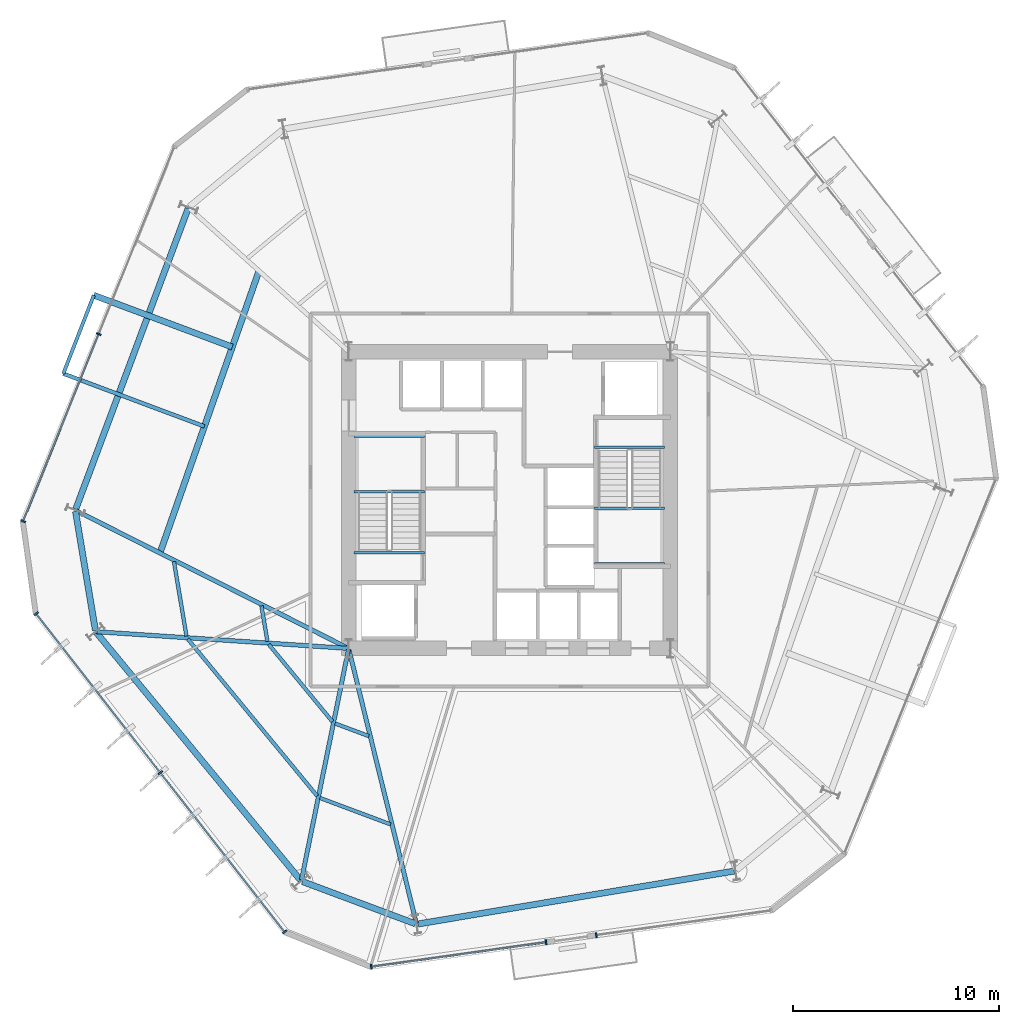
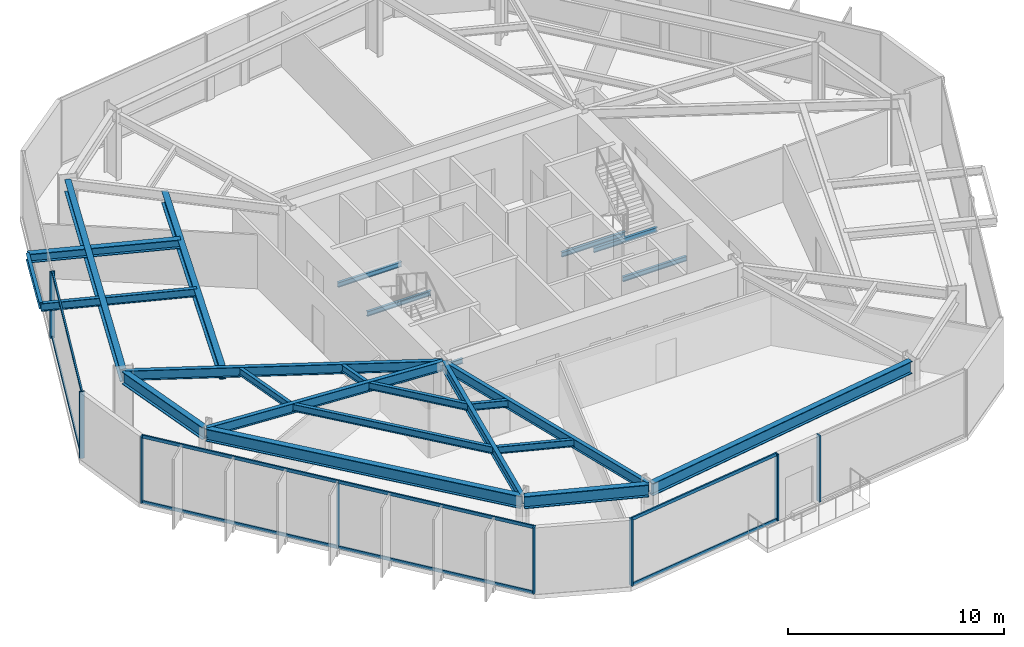
# One storey, part 2 of 10: 25 beams, 16 members, 4 elements without a shape of their own.
"""IFC4 building model written with IfcOpenShell, lengths in metres."""

from ifc_helpers import new_model, si_unit, direction, frame, origin, origin_2d, place, context, subcontext, project, spatial, rectangle, i_section, extrude, material, layer, layer_set, material_profile, profile_set, type_object, element, aggregate, save


model = new_model("IFC4")

# Units and contexts
model_context = context("Model", 3, precision=1e-05, world=origin(), true_north=direction((0.0, 1.0)))
body_context = subcontext(model_context, "Body", "Model", "MODEL_VIEW")
ifc_project = project(units=[si_unit("LENGTHUNIT", "METRE"), si_unit("AREAUNIT", "SQUARE_METRE"), si_unit("VOLUMEUNIT", "CUBIC_METRE"), si_unit("PLANEANGLEUNIT", "RADIAN"), si_unit("MASSUNIT", "GRAM", prefix="KILO")], contexts=[model_context])

# Site, building, storey
site_placement = place(None, origin())
site = spatial("IfcSite", under=ifc_project, at=site_placement, CompositionType="ELEMENT")
building_placement = place(site_placement, origin())
building = spatial("IfcBuilding", under=site, at=building_placement, Name="Kranzbogen Civic Tower", CompositionType="ELEMENT")
storey_placement = place(building_placement, frame((0.0, 0.0, 52.0)))
storey = spatial("IfcBuildingStorey", under=building, at=storey_placement, Name="L12", CompositionType="ELEMENT", Elevation=52.0)

# Beam
ifc_material_1 = material(Name="Steel S355", Category="steel")
ifc_material_profile_1 = material_profile(ifc_material_1, i_section(OverallWidth=0.18994140625, OverallDepth=0.449951171875, WebThickness=0.009521484375, FlangeThickness=0.0146484375, at=origin_2d()), Name="IPE 450")
ifc_profile_set_1 = profile_set([ifc_material_profile_1], Name="Steel S355")
beam_type_1 = type_object("IfcBeamType", Name="Braced Terrace Edge Beam IPE 450", PredefinedType="BEAM", material=ifc_profile_set_1)
beam_1_placement = place(storey_placement, frame((10.2041015625, 28.568115234375, 3.52490234375), z_axis=(-0.936673386352, 0.350204179444, 0.0), x_axis=(-0.350204179444, -0.936673386352, 0.0)))
element("IfcBeam", 1, at=beam_1_placement, inside=storey, type_object=beam_type_1, Name="L13 back-spanned terrace beam L13-TB1-2", PredefinedType="BEAM", context=body_context, shape_type="SweptSolid", body=[
    extrude(i_section(OverallWidth=0.18994140625, OverallDepth=0.449951171875, WebThickness=0.009521484375, FlangeThickness=0.0146484375, at=origin_2d()), origin(), (0.0, 0.0, 1.0), 7.306640625),
])

# Curtain wall, members
ifc_material_2 = material(Name="Pale Anodised Aluminium", Category="aluminium")
ifc_layer = layer(ifc_material_2, 0.219970703125, Name="Pale Anodised Aluminium")
ifc_layer_set = layer_set([ifc_layer], Name="Pale Anodised Aluminium")
curtain_wall_type = type_object("IfcCurtainWallType", Name="Zone 1 Stick Curtain Wall System CW-02", PredefinedType="USERDEFINED", material=ifc_layer_set)
curtain_wall_1_placement = place(storey_placement, origin())
curtain_wall_1 = element("IfcCurtainWall", 2, at=curtain_wall_1_placement, inside=storey, type_object=curtain_wall_type, Name="L12 curtain wall CW-L12-F3", ObjectType="STICK CURTAIN WALL", PredefinedType="USERDEFINED")
ifc_material_profile_2 = material_profile(ifc_material_2, rectangle(XDim=0.080078125, YDim=0.239990234375, at=origin_2d()), Name="ALU-M 80x240")
ifc_profile_set_2 = profile_set([ifc_material_profile_2], Name="Pale Anodised Aluminium")
member_type_1 = type_object("IfcMemberType", Name="Curtain Wall Mullion ALU-M 80x240", PredefinedType="MULLION", material=ifc_profile_set_2)
member_1_placement = place(storey_placement, frame((5.0791015625, 33.048583984375, 0.0), z_axis=(0.0, 0.0, 1.0), x_axis=(-0.374583413468, -0.927193219537, 0.0)))
member_1 = element("IfcMember", 3, at=member_1_placement, type_object=member_type_1, Name="CW-02 mullion 2", PredefinedType="MULLION", context=body_context, shape_type="SweptSolid", body=[
    extrude(rectangle(XDim=0.080078125, YDim=0.239990234375, at=origin_2d()), origin(), (0.0, 0.0, 1.0), 3.760009765625),
])
member_2_placement = place(storey_placement, frame((1.4111328125, 23.9697265625, 0.0), z_axis=(0.0, 0.0, 1.0), x_axis=(-0.374583413468, -0.927193219537, 0.0)))
member_2 = element("IfcMember", 4, at=member_2_placement, type_object=member_type_1, Name="CW-02 mullion 3", PredefinedType="MULLION", context=body_context, shape_type="SweptSolid", body=[
    extrude(rectangle(XDim=0.080078125, YDim=0.239990234375, at=origin_2d()), origin(), (0.0, 0.0, 1.0), 3.760009765625),
])

curtain_wall_2_placement = place(storey_placement, origin())
curtain_wall_2 = element("IfcCurtainWall", 5, at=curtain_wall_2_placement, inside=storey, type_object=curtain_wall_type, Name="L12 curtain wall CW-L12-F4", ObjectType="STICK CURTAIN WALL", PredefinedType="USERDEFINED")
member_3_placement = place(storey_placement, frame((2.04052734375, 19.48828125, 0.0), z_axis=(0.0, 0.0, 1.0), x_axis=(0.61567664207, -0.787998903812, 0.0)))
member_3 = element("IfcMember", 6, at=member_3_placement, type_object=member_type_1, Name="CW-02 mullion 1", PredefinedType="MULLION", context=body_context, shape_type="SweptSolid", body=[
    extrude(rectangle(XDim=0.080078125, YDim=0.239990234375, at=origin_2d()), origin(), (0.0, 0.0, 1.0), 3.760009765625),
])
member_4_placement = place(storey_placement, frame((8.069091796875, 11.7724609375, 0.0), z_axis=(0.0, 0.0, 1.0), x_axis=(0.61567664207, -0.787998903812, 0.0)))
member_4 = element("IfcMember", 7, at=member_4_placement, type_object=member_type_1, Name="CW-02 mullion 2", PredefinedType="MULLION", context=body_context, shape_type="SweptSolid", body=[
    extrude(rectangle(XDim=0.080078125, YDim=0.239990234375, at=origin_2d()), origin(), (0.0, 0.0, 1.0), 3.760009765625),
])
member_5_placement = place(storey_placement, frame((14.097412109375, 4.056640625, 0.0), z_axis=(0.0, 0.0, 1.0), x_axis=(0.61567664207, -0.787998903812, 0.0)))
member_5 = element("IfcMember", 8, at=member_5_placement, type_object=member_type_1, Name="CW-02 mullion 3", PredefinedType="MULLION", context=body_context, shape_type="SweptSolid", body=[
    extrude(rectangle(XDim=0.080078125, YDim=0.239990234375, at=origin_2d()), origin(), (0.0, 0.0, 1.0), 3.760009765625),
])

curtain_wall_3_placement = place(storey_placement, origin())
curtain_wall_3 = element("IfcCurtainWall", 9, at=curtain_wall_3_placement, inside=storey, type_object=curtain_wall_type, Name="L12 curtain wall CW-L12-F5-S1", ObjectType="STICK CURTAIN WALL", PredefinedType="USERDEFINED")
member_6_placement = place(storey_placement, frame((18.293701171875, 2.361083984375, 0.0), z_axis=(0.0, 0.0, 1.0), x_axis=(0.990267072018, 0.139180192835, 0.0)))
member_6 = element("IfcMember", 10, at=member_6_placement, type_object=member_type_1, Name="CW-02 mullion 1", PredefinedType="MULLION", context=body_context, shape_type="SweptSolid", body=[
    extrude(rectangle(XDim=0.080078125, YDim=0.239990234375, at=origin_2d()), origin(), (0.0, 0.0, 1.0), 3.760009765625),
])
member_7_placement = place(storey_placement, frame((26.772216796875, 3.552734375, 0.0), z_axis=(0.0, 0.0, 1.0), x_axis=(0.990267072018, 0.139180192835, 0.0)))
member_7 = element("IfcMember", 11, at=member_7_placement, type_object=member_type_1, Name="CW-02 mullion 2", PredefinedType="MULLION", context=body_context, shape_type="SweptSolid", body=[
    extrude(rectangle(XDim=0.080078125, YDim=0.239990234375, at=origin_2d()), origin(), (0.0, 0.0, 1.0), 3.760009765625),
])

# Curtain wall, member
curtain_wall_4_placement = place(storey_placement, origin())
curtain_wall_4 = element("IfcCurtainWall", 12, at=curtain_wall_4_placement, inside=storey, type_object=curtain_wall_type, Name="L12 curtain wall CW-L12-F5-S2", ObjectType="STICK CURTAIN WALL", PredefinedType="USERDEFINED")
member_8_placement = place(storey_placement, frame((29.208740234375, 3.895263671875, 0.0), z_axis=(0.0, 0.0, 1.0), x_axis=(0.990267072018, 0.139180192835, 0.0)))
member_8 = element("IfcMember", 13, at=member_8_placement, type_object=member_type_1, Name="CW-02 mullion 1", PredefinedType="MULLION", context=body_context, shape_type="SweptSolid", body=[
    extrude(rectangle(XDim=0.080078125, YDim=0.239990234375, at=origin_2d()), origin(), (0.0, 0.0, 1.0), 3.760009765625),
])
aggregate(curtain_wall_4, [member_8])

# Member
ifc_material_profile_3 = material_profile(ifc_material_2, rectangle(XDim=0.080078125, YDim=0.179931640625, at=origin_2d()), Name="ALU-T 80x180")
ifc_profile_set_3 = profile_set([ifc_material_profile_3], Name="Pale Anodised Aluminium")
member_type_2 = type_object("IfcMemberType", Name="Curtain Wall Transom ALU-T 80x180", PredefinedType="USERDEFINED", material=ifc_profile_set_3)
member_9_placement = place(storey_placement, frame((5.06787109375, 33.020751953125, 0.030029296875), z_axis=(-0.374597852927, -0.927187385905, 0.0), x_axis=(0.927187385905, -0.374597852927, 0.0)))
member_9 = element("IfcMember", 14, at=member_9_placement, type_object=member_type_2, Name="CW-02 transom 2.1", ObjectType="TRANSOM", PredefinedType="USERDEFINED", context=body_context, shape_type="SweptSolid", body=[
    extrude(rectangle(XDim=0.080078125, YDim=0.179931640625, at=origin_2d()), origin(), (0.0, 0.0, 1.0), 9.731689453125),
])

member_10_placement = place(storey_placement, frame((5.06787109375, 33.020751953125, 3.72998046875), z_axis=(-0.374597852927, -0.927187385905, 0.0), x_axis=(0.927187385905, -0.374597852927, 0.0)))
member_10 = element("IfcMember", 15, at=member_10_placement, type_object=member_type_2, Name="CW-02 transom 2.2", ObjectType="TRANSOM", PredefinedType="USERDEFINED", context=body_context, shape_type="SweptSolid", body=[
    extrude(rectangle(XDim=0.080078125, YDim=0.179931640625, at=origin_2d()), origin(), (0.0, 0.0, 1.0), 9.731689453125),
])

aggregate(curtain_wall_1, [member_1, member_2, member_9, member_10])

member_11_placement = place(storey_placement, frame((2.058837890625, 19.464599609375, 0.030029296875), z_axis=(0.615689803376, -0.787988620488, 0.0), x_axis=(0.787988620488, 0.615689803376, 0.0)))
member_11 = element("IfcMember", 16, at=member_11_placement, type_object=member_type_2, Name="CW-02 transom 1.1", ObjectType="TRANSOM", PredefinedType="USERDEFINED", context=body_context, shape_type="SweptSolid", body=[
    extrude(rectangle(XDim=0.080078125, YDim=0.179931640625, at=origin_2d()), origin(), (0.0, 0.0, 1.0), 9.731689453125),
])

member_12_placement = place(storey_placement, frame((2.058837890625, 19.464599609375, 3.72998046875), z_axis=(0.615689803376, -0.787988620488, 0.0), x_axis=(0.787988620488, 0.615689803376, 0.0)))
member_12 = element("IfcMember", 17, at=member_12_placement, type_object=member_type_2, Name="CW-02 transom 1.2", ObjectType="TRANSOM", PredefinedType="USERDEFINED", context=body_context, shape_type="SweptSolid", body=[
    extrude(rectangle(XDim=0.080078125, YDim=0.179931640625, at=origin_2d()), origin(), (0.0, 0.0, 1.0), 9.731689453125),
])

member_13_placement = place(storey_placement, frame((8.08740234375, 11.748779296875, 0.030029296875), z_axis=(0.615689803376, -0.787988620488, 0.0), x_axis=(0.787988620488, 0.615689803376, 0.0)))
member_13 = element("IfcMember", 18, at=member_13_placement, type_object=member_type_2, Name="CW-02 transom 2.1", ObjectType="TRANSOM", PredefinedType="USERDEFINED", context=body_context, shape_type="SweptSolid", body=[
    extrude(rectangle(XDim=0.080078125, YDim=0.179931640625, at=origin_2d()), origin(), (0.0, 0.0, 1.0), 9.731689453125),
])

member_14_placement = place(storey_placement, frame((8.08740234375, 11.748779296875, 3.72998046875), z_axis=(0.615689803376, -0.787988620488, 0.0), x_axis=(0.787988620488, 0.615689803376, 0.0)))
member_14 = element("IfcMember", 19, at=member_14_placement, type_object=member_type_2, Name="CW-02 transom 2.2", ObjectType="TRANSOM", PredefinedType="USERDEFINED", context=body_context, shape_type="SweptSolid", body=[
    extrude(rectangle(XDim=0.080078125, YDim=0.179931640625, at=origin_2d()), origin(), (0.0, 0.0, 1.0), 9.731689453125),
])

aggregate(curtain_wall_2, [member_3, member_4, member_5, member_11, member_12, member_13, member_14])

member_15_placement = place(storey_placement, frame((18.323486328125, 2.365234375, 0.030029296875), z_axis=(0.990266290459, 0.139185753512, 0.0), x_axis=(-0.139185753512, 0.990266290459, 0.0)))
member_15 = element("IfcMember", 20, at=member_15_placement, type_object=member_type_2, Name="CW-02 transom 1.1", ObjectType="TRANSOM", PredefinedType="USERDEFINED", context=body_context, shape_type="SweptSolid", body=[
    extrude(rectangle(XDim=0.080078125, YDim=0.179931640625, at=origin_2d()), origin(), (0.0, 0.0, 1.0), 8.501953125),
])

member_16_placement = place(storey_placement, frame((18.323486328125, 2.365234375, 3.72998046875), z_axis=(0.990266290459, 0.139185753512, 0.0), x_axis=(-0.139185753512, 0.990266290459, 0.0)))
member_16 = element("IfcMember", 21, at=member_16_placement, type_object=member_type_2, Name="CW-02 transom 1.2", ObjectType="TRANSOM", PredefinedType="USERDEFINED", context=body_context, shape_type="SweptSolid", body=[
    extrude(rectangle(XDim=0.080078125, YDim=0.179931640625, at=origin_2d()), origin(), (0.0, 0.0, 1.0), 8.501953125),
])

aggregate(curtain_wall_3, [member_6, member_7, member_15, member_16])

# Beams
ifc_material_profile_4 = material_profile(ifc_material_1, i_section(OverallWidth=0.300048828125, OverallDepth=0.5, WebThickness=0.014404296875, FlangeThickness=0.028076171875, at=origin_2d()), Name="HEB 500")
ifc_profile_set_4 = profile_set([ifc_material_profile_4], Name="Steel S355")
beam_type_2 = type_object("IfcBeamType", Name="Perimeter Tube Spandrel Beam HEB 500", PredefinedType="SPANDREL", material=ifc_profile_set_4)
beam_2_placement = place(storey_placement, frame((11.554931640625, 32.4189453125, 3.5), z_axis=(-0.936670176047, 0.350212765764, 0.0), x_axis=(-0.350212765764, -0.936670176047, 0.0)))
element("IfcBeam", 22, at=beam_2_placement, inside=storey, type_object=beam_type_2, Name="L13 back-spanned terrace beam L13-TB1-1", PredefinedType="SPANDREL", context=body_context, shape_type="SweptSolid", body=[
    extrude(i_section(OverallWidth=0.300048828125, OverallDepth=0.5, WebThickness=0.014404296875, FlangeThickness=0.028076171875, at=origin_2d()), origin(), (0.0, 0.0, 1.0), 7.169921875),
])
ifc_material_profile_5 = material_profile(ifc_material_1, i_section(OverallWidth=0.300048828125, OverallDepth=0.699951171875, WebThickness=0.01708984375, FlangeThickness=0.031982421875, at=origin_2d()), Name="HEB 700")
ifc_profile_set_5 = profile_set([ifc_material_profile_5], Name="Steel S355")
beam_type_3 = type_object("IfcBeamType", Name="Perimeter Tube Spandrel Beam HEB 700", PredefinedType="SPANDREL", material=ifc_profile_set_5)
beam_3_placement = place(storey_placement, frame((3.952880859375, 24.445068359375, 3.409912109375), z_axis=(0.164913116942, -0.986308097838, 0.0), x_axis=(0.986308097838, 0.164913116942, 0.0)))
element("IfcBeam", 23, at=beam_3_placement, inside=storey, type_object=beam_type_3, Name="L12 perimeter spandrel beam 01", PredefinedType="SPANDREL", context=body_context, shape_type="SweptSolid", body=[
    extrude(i_section(OverallWidth=0.300048828125, OverallDepth=0.699951171875, WebThickness=0.01708984375, FlangeThickness=0.031982421875, at=origin_2d()), origin(), (0.0, 0.0, 1.0), 5.85205078125),
])
beam_4_placement = place(storey_placement, frame((4.966064453125, 18.568115234375, 3.409912109375), z_axis=(0.636074572579, -0.771627590304, 0.0), x_axis=(0.771627590304, 0.636074572579, 0.0)))
element("IfcBeam", 24, at=beam_4_placement, inside=storey, type_object=beam_type_3, Name="L12 perimeter spandrel beam 02", PredefinedType="SPANDREL", context=body_context, shape_type="SweptSolid", body=[
    extrude(i_section(OverallWidth=0.300048828125, OverallDepth=0.699951171875, WebThickness=0.01708984375, FlangeThickness=0.031982421875, at=origin_2d()), origin(), (0.0, 0.0, 1.0), 15.5595703125),
])
beam_5_placement = place(storey_placement, frame((14.95703125, 6.4951171875, 3.409912109375), z_axis=(0.936647646965, -0.350273015568, 0.0), x_axis=(0.350273015568, 0.936647646965, 0.0)))
element("IfcBeam", 25, at=beam_5_placement, inside=storey, type_object=beam_type_3, Name="L12 perimeter spandrel beam 03", PredefinedType="SPANDREL", context=body_context, shape_type="SweptSolid", body=[
    extrude(i_section(OverallWidth=0.300048828125, OverallDepth=0.699951171875, WebThickness=0.01708984375, FlangeThickness=0.031982421875, at=origin_2d()), origin(), (0.0, 0.0, 1.0), 5.852783203125),
])
beam_6_placement = place(storey_placement, frame((20.553955078125, 4.43408203125, 3.409912109375), z_axis=(0.986285563243, 0.165047834697, 0.0), x_axis=(-0.165047834697, 0.986285563243, 0.0)))
element("IfcBeam", 26, at=beam_6_placement, inside=storey, type_object=beam_type_3, Name="L12 perimeter spandrel beam 04", PredefinedType="SPANDREL", context=body_context, shape_type="SweptSolid", body=[
    extrude(i_section(OverallWidth=0.300048828125, OverallDepth=0.699951171875, WebThickness=0.01708984375, FlangeThickness=0.031982421875, at=origin_2d()), origin(), (0.0, 0.0, 1.0), 15.558349609375),
])
beam_7_placement = place(storey_placement, frame((9.412109375, 39.133056640625, 3.409912109375), z_axis=(-0.350172267932, -0.936685316833, 0.0), x_axis=(0.936685316833, -0.350172267932, 0.0)))
element("IfcBeam", 27, at=beam_7_placement, inside=storey, type_object=beam_type_3, Name="L12 perimeter spandrel beam 12", PredefinedType="SPANDREL", context=body_context, shape_type="SweptSolid", body=[
    extrude(i_section(OverallWidth=0.300048828125, OverallDepth=0.699951171875, WebThickness=0.01708984375, FlangeThickness=0.031982421875, at=origin_2d()), origin(), (0.0, 0.0, 1.0), 15.55810546875),
])
beam_8_placement = place(storey_placement, frame((12.85205078125, 36.112060546875, 3.39990234375), z_axis=(-0.331242591506, -0.943545624531, 0.0), x_axis=(0.943545624531, -0.331242591506, 0.0)))
element("IfcBeam", 28, at=beam_8_placement, inside=storey, type_object=beam_type_3, Name="L13 balcony back-span header girder L13-TB1", PredefinedType="SPANDREL", context=body_context, shape_type="SweptSolid", body=[
    extrude(i_section(OverallWidth=0.300048828125, OverallDepth=0.699951171875, WebThickness=0.01708984375, FlangeThickness=0.031982421875, at=origin_2d()), origin(), (0.0, 0.0, 1.0), 14.5029296875),
])
ifc_material_profile_6 = material_profile(ifc_material_1, i_section(OverallWidth=0.2099609375, OverallDepth=0.550048828125, WebThickness=0.010986328125, FlangeThickness=0.01708984375, at=origin_2d()), Name="IPE 550")
ifc_profile_set_6 = profile_set([ifc_material_profile_6], Name="Steel S355")
beam_type_4 = type_object("IfcBeamType", Name="Radial Tower Floor Girder IPE 550", PredefinedType="BEAM", material=ifc_profile_set_6)
beam_9_placement = place(storey_placement, frame((3.9970703125, 24.47705078125, 3.485107421875), z_axis=(0.892363219254, -0.451317942168, 0.0), x_axis=(0.451317942168, 0.892363219254, 0.0)))
element("IfcBeam", 29, at=beam_9_placement, inside=storey, type_object=beam_type_4, Name="L12 radial floor girder 01", PredefinedType="BEAM", context=body_context, shape_type="SweptSolid", body=[
    extrude(i_section(OverallWidth=0.2099609375, OverallDepth=0.550048828125, WebThickness=0.010986328125, FlangeThickness=0.01708984375, at=origin_2d()), origin(), (0.0, 0.0, 1.0), 14.73486328125),
])
beam_10_placement = place(storey_placement, frame((4.988037109375, 18.610107421875, 3.485107421875), z_axis=(0.99780674843, -0.066194356156, 0.0), x_axis=(0.066194356156, 0.99780674843, 0.0)))
element("IfcBeam", 30, at=beam_10_placement, inside=storey, type_object=beam_type_4, Name="L12 radial floor girder 02", PredefinedType="BEAM", context=body_context, shape_type="SweptSolid", body=[
    extrude(i_section(OverallWidth=0.2099609375, OverallDepth=0.550048828125, WebThickness=0.010986328125, FlangeThickness=0.01708984375, at=origin_2d()), origin(), (0.0, 0.0, 1.0), 12.178466796875),
])
beam_11_placement = place(storey_placement, frame((14.9130859375, 6.574951171875, 3.485107421875), z_axis=(0.199633433694, 0.979870650725, 0.0), x_axis=(-0.979870650725, 0.199633433694, 0.0)))
element("IfcBeam", 31, at=beam_11_placement, inside=storey, type_object=beam_type_4, Name="L12 radial floor girder 03", PredefinedType="BEAM", context=body_context, shape_type="SweptSolid", body=[
    extrude(i_section(OverallWidth=0.2099609375, OverallDepth=0.550048828125, WebThickness=0.010986328125, FlangeThickness=0.01708984375, at=origin_2d()), origin(), (0.0, 0.0, 1.0), 11.3955078125),
])
beam_12_placement = place(storey_placement, frame((20.48095703125, 4.48193359375, 3.485107421875), z_axis=(-0.239215348776, 0.970966537482, 0.0), x_axis=(-0.970966537482, -0.239215348776, 0.0)))
element("IfcBeam", 32, at=beam_12_placement, inside=storey, type_object=beam_type_4, Name="L12 radial floor girder 04", PredefinedType="BEAM", context=body_context, shape_type="SweptSolid", body=[
    extrude(i_section(OverallWidth=0.2099609375, OverallDepth=0.550048828125, WebThickness=0.010986328125, FlangeThickness=0.01708984375, at=origin_2d()), origin(), (0.0, 0.0, 1.0), 13.656494140625),
])
ifc_material_profile_7 = material_profile(ifc_material_1, i_section(OverallWidth=0.169921875, OverallDepth=0.360107421875, WebThickness=0.008056640625, FlangeThickness=0.0126953125, at=origin_2d()), Name="IPE 360")
ifc_profile_set_7 = profile_set([ifc_material_profile_7], Name="Steel S355")
beam_type_5 = type_object("IfcBeamType", Name="Secondary Composite Floor Joist IPE 360", PredefinedType="JOIST", material=ifc_profile_set_7)
beam_13_placement = place(storey_placement, frame((4.839111328125, 34.929931640625, 3.570068359375), z_axis=(-0.362460697725, -0.931999057191, 0.0), x_axis=(0.931999057191, -0.362460697725, 0.0)))
element("IfcBeam", 33, at=beam_13_placement, inside=storey, type_object=beam_type_5, Name="L13 terrace outer edge trimmer L13-TB1", PredefinedType="JOIST", context=body_context, shape_type="SweptSolid", body=[
    extrude(i_section(OverallWidth=0.169921875, OverallDepth=0.360107421875, WebThickness=0.008056640625, FlangeThickness=0.0126953125, at=origin_2d()), origin(), (0.0, 0.0, 1.0), 4.08056640625),
])
ifc_material_profile_8 = material_profile(ifc_material_1, i_section(OverallWidth=0.179931640625, OverallDepth=0.39990234375, WebThickness=0.008544921875, FlangeThickness=0.013427734375, at=origin_2d()), Name="IPE 400")
ifc_profile_set_8 = profile_set([ifc_material_profile_8], Name="Steel S355")
beam_type_6 = type_object("IfcBeamType", Name="Secondary Composite Floor Joist IPE 400", PredefinedType="JOIST", material=ifc_profile_set_8)
beam_14_placement = place(storey_placement, frame((8.72900390625, 22.011962890625, 3.56005859375), z_axis=(0.164928678379, -0.986305495802, 0.0), x_axis=(0.986305495802, 0.164928678379, 0.0)))
element("IfcBeam", 34, at=beam_14_placement, inside=storey, type_object=beam_type_6, Name="L12 secondary floor joist 1.01", PredefinedType="JOIST", context=body_context, shape_type="SweptSolid", body=[
    extrude(i_section(OverallWidth=0.179931640625, OverallDepth=0.39990234375, WebThickness=0.008544921875, FlangeThickness=0.013427734375, at=origin_2d()), origin(), (0.0, 0.0, 1.0), 3.662109375),
])
beam_15_placement = place(storey_placement, frame((12.970947265625, 19.865966796875, 3.56005859375), z_axis=(0.165077224104, -0.986280644686, 0.0), x_axis=(0.986280644686, 0.165077224104, 0.0)))
element("IfcBeam", 35, at=beam_15_placement, inside=storey, type_object=beam_type_6, Name="L12 secondary floor joist 2.01", PredefinedType="JOIST", context=body_context, shape_type="SweptSolid", body=[
    extrude(i_section(OverallWidth=0.179931640625, OverallDepth=0.39990234375, WebThickness=0.008544921875, FlangeThickness=0.013427734375, at=origin_2d()), origin(), (0.0, 0.0, 1.0), 1.7509765625),
])
beam_16_placement = place(storey_placement, frame((9.39697265625, 18.259033203125, 3.56005859375), z_axis=(0.636094561772, -0.771611112209, 0.0), x_axis=(0.771611112209, 0.636094561772, 0.0)))
element("IfcBeam", 36, at=beam_16_placement, inside=storey, type_object=beam_type_6, Name="L12 secondary floor joist 1.02", PredefinedType="JOIST", context=body_context, shape_type="SweptSolid", body=[
    extrude(i_section(OverallWidth=0.179931640625, OverallDepth=0.39990234375, WebThickness=0.008544921875, FlangeThickness=0.013427734375, at=origin_2d()), origin(), (0.0, 0.0, 1.0), 9.874267578125),
])
beam_17_placement = place(storey_placement, frame((13.323974609375, 17.9990234375, 3.56005859375), z_axis=(0.636012010413, -0.771679157818, 0.0), x_axis=(0.771679157818, 0.636012010413, 0.0)))
element("IfcBeam", 37, at=beam_17_placement, inside=storey, type_object=beam_type_6, Name="L12 secondary floor joist 2.02", PredefinedType="JOIST", context=body_context, shape_type="SweptSolid", body=[
    extrude(i_section(OverallWidth=0.179931640625, OverallDepth=0.39990234375, WebThickness=0.008544921875, FlangeThickness=0.013427734375, at=origin_2d()), origin(), (0.0, 0.0, 1.0), 4.85693359375),
])
beam_18_placement = place(storey_placement, frame((15.803955078125, 10.550048828125, 3.56005859375), z_axis=(0.936622008794, -0.350341565678, 0.0), x_axis=(0.350341565678, 0.936622008794, 0.0)))
element("IfcBeam", 38, at=beam_18_placement, inside=storey, type_object=beam_type_6, Name="L12 secondary floor joist 1.03", PredefinedType="JOIST", context=body_context, shape_type="SweptSolid", body=[
    extrude(i_section(OverallWidth=0.179931640625, OverallDepth=0.39990234375, WebThickness=0.008544921875, FlangeThickness=0.013427734375, at=origin_2d()), origin(), (0.0, 0.0, 1.0), 3.662109375),
])
beam_19_placement = place(storey_placement, frame((16.5390625, 14.160888671875, 3.56005859375), z_axis=(0.936735458815, -0.350038112495, 0.0), x_axis=(0.350038112495, 0.936735458815, 0.0)))
element("IfcBeam", 39, at=beam_19_placement, inside=storey, type_object=beam_type_6, Name="L12 secondary floor joist 2.03", PredefinedType="JOIST", context=body_context, shape_type="SweptSolid", body=[
    extrude(i_section(OverallWidth=0.179931640625, OverallDepth=0.39990234375, WebThickness=0.008544921875, FlangeThickness=0.013427734375, at=origin_2d()), origin(), (0.0, 0.0, 1.0), 1.750732421875),
])
ifc_material_profile_9 = material_profile(ifc_material_1, i_section(OverallWidth=0.135009765625, OverallDepth=0.27001953125, WebThickness=0.006591796875, FlangeThickness=0.01025390625, at=origin_2d()), Name="IPE 270")
ifc_profile_set_9 = profile_set([ifc_material_profile_9], Name="Steel S355")
beam_type_7 = type_object("IfcBeamType", Name="Stair Landing Support Beam IPE 270", PredefinedType="JOIST", material=ifc_profile_set_9)
for number, where, z_axis, x_axis, name in (
    (40, (20.8798828125, 22.43994140625, -0.375), (-1.0, 0.0, 0.0), (0.0, -1.0, 0.0), "L12 ST-T1 stair floor header beam"),
    (41, (20.8798828125, 25.39990234375, 1.6650390625), (-1.0, 0.0, 0.0), (0.0, -1.0, 0.0), "L12 ST-T1 landing support beam 1.1"),
    (42, (20.8798828125, 28.10009765625, 1.6650390625), (-1.0, 0.0, 0.0), (0.0, -1.0, 0.0), "L12 ST-T1 landing support beam 1.2"),
    (43, (29.1201171875, 27.56005859375, -0.375), (1.0, 0.0, 0.0), (0.0, 1.0, 0.0), "L12 ST-T2 stair floor header beam"),
    (44, (29.1201171875, 24.60009765625, 1.6650390625), (1.0, 0.0, 0.0), (0.0, 1.0, 0.0), "L12 ST-T2 landing support beam 1.1"),
    (45, (29.1201171875, 21.89990234375, 1.6650390625), (1.0, 0.0, 0.0), (0.0, 1.0, 0.0), "L12 ST-T2 landing support beam 1.2"),
):
    element("IfcBeam", number, at=place(storey_placement, frame(where, z_axis=z_axis, x_axis=x_axis)), inside=storey, type_object=beam_type_7, Name=name, PredefinedType="JOIST", context=body_context, shape_type="SweptSolid", body=[
        extrude(i_section(OverallWidth=0.135009765625, OverallDepth=0.27001953125, WebThickness=0.006591796875, FlangeThickness=0.01025390625, at=origin_2d()), origin(), (0.0, 0.0, 1.0), 3.409912109375),
    ])

save(model, "model.ifc")
